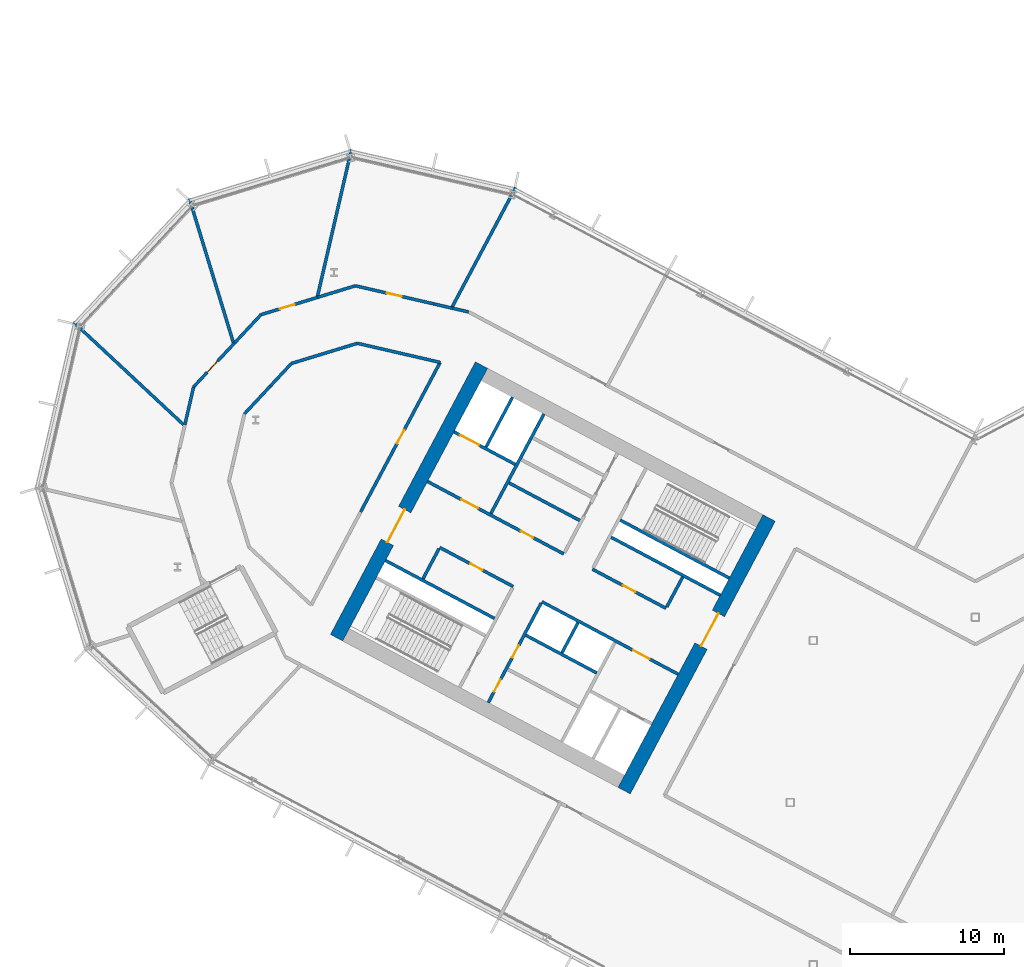
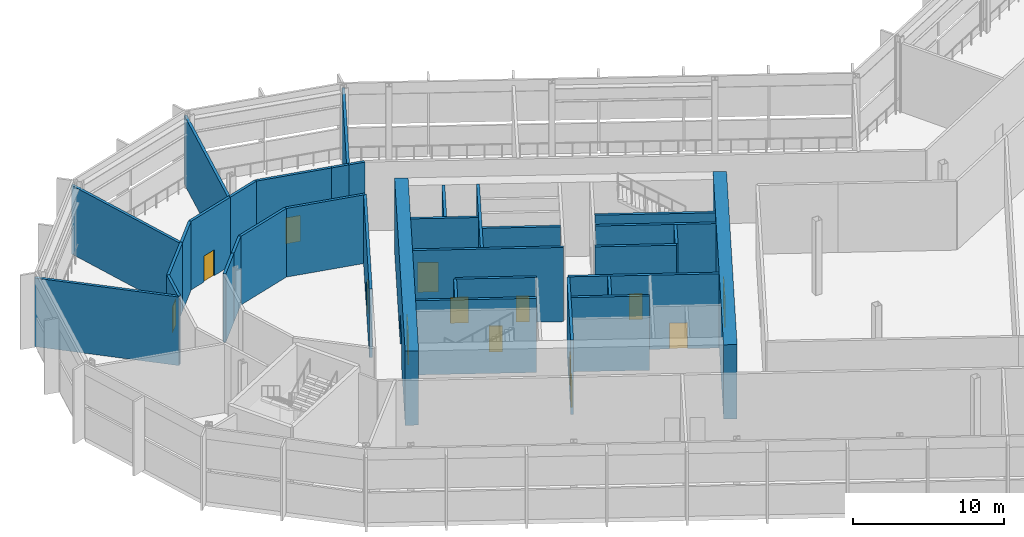
# One storey, part 13 of 33: 35 walls, 14 doors, 14 openings.
"""IFC4 building model written with IfcOpenShell, lengths in metres."""

from ifc_helpers import new_model, si_unit, direction, frame, frame_2d, origin, place, context, subcontext, project, spatial, rectangle, extrude, material, layer, layer_set, type_object, element, fill, save


model = new_model("IFC4")

# Units and contexts
model_context = context("Model", 3, precision=1e-05, world=origin(), true_north=direction((0.0, 1.0)))
body_context = subcontext(model_context, "Body", "Model", "MODEL_VIEW")
ifc_project = project(units=[si_unit("LENGTHUNIT", "METRE"), si_unit("AREAUNIT", "SQUARE_METRE"), si_unit("VOLUMEUNIT", "CUBIC_METRE"), si_unit("PLANEANGLEUNIT", "RADIAN"), si_unit("MASSUNIT", "GRAM", prefix="KILO")], contexts=[model_context])

# Site, building, storey
site_placement = place(None, origin())
site = spatial("IfcSite", under=ifc_project, at=site_placement, CompositionType="ELEMENT")
building_placement = place(site_placement, origin())
building = spatial("IfcBuilding", under=site, at=building_placement, Name="Cormorant Relay Tower", CompositionType="ELEMENT")
storey_placement = place(building_placement, frame((0.0, 0.0, 112.199951171875)))
storey = spatial("IfcBuildingStorey", under=building, at=storey_placement, Name="L22", CompositionType="ELEMENT", Elevation=112.199951171875)

# Walls
ifc_material_1 = material(Name="Concrete 40 MPa", Category="concrete")
ifc_layer_1 = layer(ifc_material_1, 0.199951171875)
ifc_layer_set_1 = layer_set([ifc_layer_1], Name="Core internal wall 200")
wall_type_1 = type_object("IfcWallType", Name="Core internal wall 200", PredefinedType="SOLIDWALL", material=ifc_layer_set_1)
wall_1_placement = place(storey_placement, frame((-25.744140625, 11.64990234375, 0.0), z_axis=(0.0, 0.0, 1.0), x_axis=(-0.469487830541, -0.882938942948, 0.0)))
element("IfcWall", 1, at=wall_1_placement, inside=storey, type_object=wall_type_1, Name="L22 core A shaft and room wall", PredefinedType="SOLIDWALL", context=body_context, shape_type="SweptSolid", body=[
    extrude(rectangle(XDim=2.2001953125, YDim=0.199951171875, at=frame_2d((1.10009765625, 0.0))), origin(), (0.0, 0.0, 1.0), 6.0),
])
ifc_material_2 = material(Name="Concrete 50 MPa", Category="concrete")
ifc_layer_2 = layer(ifc_material_2, 0.199951171875)
ifc_layer_set_2 = layer_set([ifc_layer_2], Name="Core shaft wall 200")
wall_type_2 = type_object("IfcWallType", Name="Core shaft wall 200", PredefinedType="SHEAR", material=ifc_layer_set_2)
wall_2_placement = place(storey_placement, frame((-18.959716796875, 14.611328125, 0.0), z_axis=(0.0, 0.0, 1.0), x_axis=(-0.4694473164, -0.882960484464, 0.0)))
element("IfcWall", 2, at=wall_2_placement, inside=storey, type_object=wall_type_2, Name="L22 core A shaft wall", PredefinedType="SHEAR", context=body_context, shape_type="SweptSolid", body=[
    extrude(rectangle(XDim=2.199951171875, YDim=0.199951171875, at=frame_2d((1.10009765625, 0.0))), origin(), (0.0, 0.0, 1.0), 6.0),
])

# Wall, openings, doors
wall_3_placement = place(storey_placement, frame((-28.128173828125, 12.91748046875, 0.0), z_axis=(0.0, 0.0, 1.0), x_axis=(-0.469454336211, -0.882956752176, 0.0)))
wall_3 = element("IfcWall", 3, at=wall_3_placement, inside=storey, type_object=wall_type_2, Name="L22 core A shaft wall", PredefinedType="SHEAR", context=body_context, shape_type="SweptSolid", body=[
    extrude(rectangle(XDim=7.300048828125, YDim=0.199951171875, at=frame_2d((3.64990234375, 0.0))), origin(), (0.0, 0.0, 1.0), 6.0),
])
opening_1_placement = place(wall_3_placement, frame((3.10009765625, 0.0, 0.0)))
opening_1 = element("IfcOpeningElement", 4, at=opening_1_placement, cuts=wall_3, Name="Opening CDD-155", PredefinedType="OPENING", context=body_context, shape_type="SweptSolid", body=[
    extrude(rectangle(XDim=0.89990234375, YDim=2.10009765625, at=frame_2d((0.449951171875, 1.050048828125))), frame((0.0, 0.10986328125, 0.0), z_axis=(0.0, -1.0, 0.0), x_axis=(1.0, 0.0, 0.0)), (0.0, 0.0, 1.0), 0.219970703125),
])
opening_2_placement = place(wall_3_placement, frame((5.60009765625, 0.0, 0.0)))
opening_2 = element("IfcOpeningElement", 5, at=opening_2_placement, cuts=wall_3, Name="Opening CDD-156", PredefinedType="OPENING", context=body_context, shape_type="SweptSolid", body=[
    extrude(rectangle(XDim=0.89990234375, YDim=2.10009765625, at=frame_2d((0.449951171875, 1.050048828125))), frame((0.0, 0.10986328125, 0.0), z_axis=(0.0, -1.0, 0.0), x_axis=(1.0, 0.0, 0.0)), (0.0, 0.0, 1.0), 0.219970703125),
])
ifc_material_3 = material(Name="Steel fire door", Category="steel")
door_type_1 = type_object("IfcDoorType", Name="Core room door 900x2100", OperationType="SINGLE_SWING_LEFT", PredefinedType="DOOR", material=ifc_material_3)
door_1_placement = place(opening_1_placement, origin())
door_1 = element("IfcDoor", 6, at=door_1_placement, inside=storey, type_object=door_type_1, Name="Core room door 900x2100", OperationType="SINGLE_SWING_LEFT", OverallHeight=2.10009765625, OverallWidth=0.89990234375, PredefinedType="DOOR", context=body_context, shape_type="SweptSolid", body=[
    extrude(rectangle(XDim=0.89990234375, YDim=2.10009765625, at=frame_2d((0.449951171875, 1.050048828125))), frame((0.0, 0.02490234375, 0.0), z_axis=(0.0, -1.0, 0.0), x_axis=(1.0, 0.0, 0.0)), (0.0, 0.0, 1.0), 0.050048828125),
])
fill(opening_1, door_1)
door_2_placement = place(opening_2_placement, origin())
door_2 = element("IfcDoor", 7, at=door_2_placement, inside=storey, type_object=door_type_1, Name="Core room door 900x2100", OperationType="SINGLE_SWING_LEFT", OverallHeight=2.10009765625, OverallWidth=0.89990234375, PredefinedType="DOOR", context=body_context, shape_type="SweptSolid", body=[
    extrude(rectangle(XDim=0.89990234375, YDim=2.10009765625, at=frame_2d((0.449951171875, 1.050048828125))), frame((0.0, 0.02490234375, 0.0), z_axis=(0.0, -1.0, 0.0), x_axis=(1.0, 0.0, 0.0)), (0.0, 0.0, 1.0), 0.050048828125),
])
fill(opening_2, door_2)

# Walls
wall_4_placement = place(storey_placement, frame((-27.955322265625, 25.170654296875, 0.0), z_axis=(0.0, 0.0, 1.0), x_axis=(-0.469480409012, -0.88294288918, 0.0)))
element("IfcWall", 8, at=wall_4_placement, inside=storey, type_object=wall_type_2, Name="L22 core A shaft wall", PredefinedType="SHEAR", context=body_context, shape_type="SweptSolid", body=[
    extrude(rectangle(XDim=7.300048828125, YDim=0.199951171875, at=frame_2d((3.64990234375, 0.0))), origin(), (0.0, 0.0, 1.0), 6.0),
])
wall_5_placement = place(storey_placement, frame((-34.750244140625, 16.4384765625, 0.0), z_axis=(0.0, 0.0, 1.0), x_axis=(-0.469401318492, -0.882984938828, 0.0)))
element("IfcWall", 9, at=wall_5_placement, inside=storey, type_object=wall_type_2, Name="L22 core A shaft wall", PredefinedType="SHEAR", context=body_context, shape_type="SweptSolid", body=[
    extrude(rectangle(XDim=2.199951171875, YDim=0.199951171875, at=frame_2d((1.10009765625, 0.0))), origin(), (0.0, 0.0, 1.0), 6.0),
])
wall_6_placement = place(storey_placement, frame((-29.986083984375, 26.250244140625, 0.0), z_axis=(0.0, 0.0, 1.0), x_axis=(-0.469494272526, -0.882935517501, 0.0)))
element("IfcWall", 10, at=wall_6_placement, inside=storey, type_object=wall_type_2, Name="L22 core A shaft wall", PredefinedType="SHEAR", context=body_context, shape_type="SweptSolid", body=[
    extrude(rectangle(XDim=3.64990234375, YDim=0.199951171875, at=frame_2d((1.824951171875, 0.0))), origin(), (0.0, 0.0, 1.0), 6.0),
])
wall_7_placement = place(storey_placement, frame((-15.94189453125, 14.53564453125, 0.0), z_axis=(0.0, 0.0, 1.0), x_axis=(-0.882946947542, 0.469472776449, 0.0)))
element("IfcWall", 11, at=wall_7_placement, inside=storey, type_object=wall_type_2, Name="L22 core A shaft wall", PredefinedType="SHEAR", context=body_context, shape_type="SweptSolid", body=[
    extrude(rectangle(XDim=8.000244140625, YDim=0.199951171875, at=frame_2d((4.0, 0.0))), origin(), (0.0, 0.0, 1.0), 6.0),
])

# Wall, opening, door
wall_8_placement = place(storey_placement, frame((-29.80419921875, 21.906494140625, 0.0), z_axis=(0.0, 0.0, 1.0), x_axis=(-0.882960433586, 0.469447412093, 0.0)))
wall_8 = element("IfcWall", 12, at=wall_8_placement, inside=storey, type_object=wall_type_2, Name="L22 core A shaft wall", PredefinedType="SHEAR", context=body_context, shape_type="SweptSolid", body=[
    extrude(rectangle(XDim=4.5, YDim=0.199951171875, at=frame_2d((2.25, 0.0))), origin(), (0.0, 0.0, 1.0), 6.0),
])
opening_3_placement = place(wall_8_placement, frame((2.64990234375, 0.0, 0.0)))
opening_3 = element("IfcOpeningElement", 13, at=opening_3_placement, cuts=wall_8, Name="Opening LD3-011", PredefinedType="OPENING", context=body_context, shape_type="SweptSolid", body=[
    extrude(rectangle(XDim=1.39990234375, YDim=2.39990234375, at=frame_2d((0.699951171875, 1.199951171875))), frame((0.0, 0.10986328125, 0.0), z_axis=(0.0, -1.0, 0.0), x_axis=(1.0, 0.0, 0.0)), (0.0, 0.0, 1.0), 0.219970703125),
])
ifc_material_4 = material(Name="Stainless steel 316", Category="steel")
door_type_2 = type_object("IfcDoorType", Name="Lift landing door 1400x2400", OperationType="DOUBLE_DOOR_SLIDING", PredefinedType="DOOR", material=ifc_material_4)
door_3_placement = place(opening_3_placement, origin())
door_3 = element("IfcDoor", 14, at=door_3_placement, inside=storey, type_object=door_type_2, Name="SV1 landing door", OperationType="DOUBLE_DOOR_SLIDING", OverallHeight=2.39990234375, OverallWidth=1.39990234375, PredefinedType="DOOR", context=body_context, shape_type="SweptSolid", body=[
    extrude(rectangle(XDim=1.39990234375, YDim=2.39990234375, at=frame_2d((0.699951171875, 1.199951171875))), frame((0.0, 0.02490234375, 0.0), z_axis=(0.0, -1.0, 0.0), x_axis=(1.0, 0.0, 0.0)), (0.0, 0.0, 1.0), 0.050048828125),
])
fill(opening_3, door_3)

# Walls
wall_9_placement = place(storey_placement, frame((-16.52880859375, 13.43212890625, 0.0), z_axis=(0.0, 0.0, 1.0), x_axis=(-0.88295287151, 0.469461634952, 0.0)))
element("IfcWall", 15, at=wall_9_placement, inside=storey, type_object=wall_type_2, Name="L22 core A shaft wall", PredefinedType="SHEAR", context=body_context, shape_type="SweptSolid", body=[
    extrude(rectangle(XDim=7.999755859375, YDim=0.199951171875, at=frame_2d((4.0, 0.0))), origin(), (0.0, 0.0, 1.0), 6.0),
])
wall_10_placement = place(storey_placement, frame((-25.623046875, 18.267578125, 0.0), z_axis=(0.0, 0.0, 1.0), x_axis=(-0.882953967957, 0.469459572775, 0.0)))
element("IfcWall", 16, at=wall_10_placement, inside=storey, type_object=wall_type_2, Name="L22 core A shaft wall", PredefinedType="SHEAR", context=body_context, shape_type="SweptSolid", body=[
    extrude(rectangle(XDim=5.199951171875, YDim=0.199951171875, at=frame_2d((2.60009765625, 0.0))), origin(), (0.0, 0.0, 1.0), 6.0),
])

# Wall, opening, door
wall_11_placement = place(storey_placement, frame((-20.03955078125, 12.58056640625, 0.0), z_axis=(0.0, 0.0, 1.0), x_axis=(-0.882942972946, 0.469480251476, 0.0)))
wall_11 = element("IfcWall", 17, at=wall_11_placement, inside=storey, type_object=wall_type_2, Name="L22 core A shaft wall", PredefinedType="SHEAR", context=body_context, shape_type="SweptSolid", body=[
    extrude(rectangle(XDim=5.39990234375, YDim=0.199951171875, at=frame_2d((2.699951171875, 0.0))), origin(), (0.0, 0.0, 1.0), 6.0),
])
opening_4_placement = place(wall_11_placement, frame((2.25, 0.0, 0.0)))
opening_4 = element("IfcOpeningElement", 18, at=opening_4_placement, cuts=wall_11, Name="Opening CDD-153", PredefinedType="OPENING", context=body_context, shape_type="SweptSolid", body=[
    extrude(rectangle(XDim=0.89990234375, YDim=2.10009765625, at=frame_2d((0.449951171875, 1.050048828125))), frame((0.0, 0.10986328125, 0.0), z_axis=(0.0, -1.0, 0.0), x_axis=(1.0, 0.0, 0.0)), (0.0, 0.0, 1.0), 0.219970703125),
])
door_4_placement = place(opening_4_placement, origin())
door_4 = element("IfcDoor", 19, at=door_4_placement, inside=storey, type_object=door_type_1, Name="Core room door 900x2100", OperationType="SINGLE_SWING_LEFT", OverallHeight=2.10009765625, OverallWidth=0.89990234375, PredefinedType="DOOR", context=body_context, shape_type="SweptSolid", body=[
    extrude(rectangle(XDim=0.89990234375, YDim=2.10009765625, at=frame_2d((0.449951171875, 1.050048828125))), frame((0.0, 0.02490234375, 0.0), z_axis=(0.0, -1.0, 0.0), x_axis=(1.0, 0.0, 0.0)), (0.0, 0.0, 1.0), 0.050048828125),
])
fill(opening_4, door_4)

# Wall, openings, doors
wall_12_placement = place(storey_placement, frame((-26.66162109375, 16.1015625, 0.0), z_axis=(0.0, 0.0, 1.0), x_axis=(-0.882940221191, 0.469485426614, 0.0)))
wall_12 = element("IfcWall", 20, at=wall_12_placement, inside=storey, type_object=wall_type_2, Name="L22 core A shaft wall", PredefinedType="SHEAR", context=body_context, shape_type="SweptSolid", body=[
    extrude(rectangle(XDim=10.0, YDim=0.199951171875, at=frame_2d((5.0, 0.0))), origin(), (0.0, 0.0, 1.0), 6.0),
])
opening_5_placement = place(wall_12_placement, frame((6.300048828125, 0.0, 0.0)))
opening_5 = element("IfcOpeningElement", 21, at=opening_5_placement, cuts=wall_12, Name="Opening CDC-022", PredefinedType="OPENING", context=body_context, shape_type="SweptSolid", body=[
    extrude(rectangle(XDim=1.199951171875, YDim=2.10009765625, at=frame_2d((0.60009765625, 1.050048828125))), frame((0.0, 0.10986328125, 0.0), z_axis=(0.0, -1.0, 0.0), x_axis=(1.0, 0.0, 0.0)), (0.0, 0.0, 1.0), 0.219970703125),
])
opening_6_placement = place(wall_12_placement, frame((2.25, 0.0, 0.0)))
opening_6 = element("IfcOpeningElement", 22, at=opening_6_placement, cuts=wall_12, Name="Opening CDD-154", PredefinedType="OPENING", context=body_context, shape_type="SweptSolid", body=[
    extrude(rectangle(XDim=0.89990234375, YDim=2.10009765625, at=frame_2d((0.449951171875, 1.050048828125))), frame((0.0, 0.10986328125, 0.0), z_axis=(0.0, -1.0, 0.0), x_axis=(1.0, 0.0, 0.0)), (0.0, 0.0, 1.0), 0.219970703125),
])
ifc_material_5 = material(Name="Steel fire door", Category="steel")
door_type_3 = type_object("IfcDoorType", Name="Core lobby door 1200x2100", OperationType="SINGLE_SWING_LEFT", PredefinedType="DOOR", material=ifc_material_5)
door_5_placement = place(opening_5_placement, origin())
door_5 = element("IfcDoor", 23, at=door_5_placement, inside=storey, type_object=door_type_3, Name="Core lobby door 1200x2100", OperationType="SINGLE_SWING_LEFT", OverallHeight=2.10009765625, OverallWidth=1.199951171875, PredefinedType="DOOR", context=body_context, shape_type="SweptSolid", body=[
    extrude(rectangle(XDim=1.199951171875, YDim=2.10009765625, at=frame_2d((0.60009765625, 1.050048828125))), frame((0.0, 0.02490234375, 0.0), z_axis=(0.0, -1.0, 0.0), x_axis=(1.0, 0.0, 0.0)), (0.0, 0.0, 1.0), 0.050048828125),
])
fill(opening_5, door_5)
door_6_placement = place(opening_6_placement, origin())
door_6 = element("IfcDoor", 24, at=door_6_placement, inside=storey, type_object=door_type_1, Name="Core room door 900x2100", OperationType="SINGLE_SWING_LEFT", OverallHeight=2.10009765625, OverallWidth=0.89990234375, PredefinedType="DOOR", context=body_context, shape_type="SweptSolid", body=[
    extrude(rectangle(XDim=0.89990234375, YDim=2.10009765625, at=frame_2d((0.449951171875, 1.050048828125))), frame((0.0, 0.02490234375, 0.0), z_axis=(0.0, -1.0, 0.0), x_axis=(1.0, 0.0, 0.0)), (0.0, 0.0, 1.0), 0.050048828125),
])
fill(opening_6, door_6)

# Wall, opening, door
wall_13_placement = place(storey_placement, frame((-19.251708984375, 8.31103515625, 0.0), z_axis=(0.0, 0.0, 1.0), x_axis=(-0.882955722218, 0.469456273365, 0.0)))
wall_13 = element("IfcWall", 25, at=wall_13_placement, inside=storey, type_object=wall_type_2, Name="L22 core A shaft wall", PredefinedType="SHEAR", context=body_context, shape_type="SweptSolid", body=[
    extrude(rectangle(XDim=10.0, YDim=0.199951171875, at=frame_2d((5.0, 0.0))), origin(), (0.0, 0.0, 1.0), 6.0),
])
opening_7_placement = place(wall_13_placement, frame((2.10009765625, 0.0, 0.0)))
opening_7 = element("IfcOpeningElement", 26, at=opening_7_placement, cuts=wall_13, Name="Opening CDC-021", PredefinedType="OPENING", context=body_context, shape_type="SweptSolid", body=[
    extrude(rectangle(XDim=1.199951171875, YDim=2.10009765625, at=frame_2d((0.60009765625, 1.050048828125))), frame((0.0, 0.10986328125, 0.0), z_axis=(0.0, -1.0, 0.0), x_axis=(1.0, 0.0, 0.0)), (0.0, 0.0, 1.0), 0.219970703125),
])
door_7_placement = place(opening_7_placement, origin())
door_7 = element("IfcDoor", 27, at=door_7_placement, inside=storey, type_object=door_type_3, Name="Core lobby door 1200x2100", OperationType="SINGLE_SWING_RIGHT", OverallHeight=2.10009765625, OverallWidth=1.199951171875, PredefinedType="DOOR", context=body_context, shape_type="SweptSolid", body=[
    extrude(rectangle(XDim=1.199951171875, YDim=2.10009765625, at=frame_2d((0.60009765625, 1.050048828125))), frame((0.0, 0.02490234375, 0.0), z_axis=(0.0, -1.0, 0.0), x_axis=(1.0, 0.0, 0.0)), (0.0, 0.0, 1.0), 0.050048828125),
])
fill(opening_7, door_7)

wall_14_placement = place(storey_placement, frame((-29.935302734375, 13.991455078125, 0.0), z_axis=(0.0, 0.0, 1.0), x_axis=(-0.882952937579, 0.469461510692, 0.0)))
wall_14 = element("IfcWall", 28, at=wall_14_placement, inside=storey, type_object=wall_type_2, Name="L22 core A shaft wall", PredefinedType="SHEAR", context=body_context, shape_type="SweptSolid", body=[
    extrude(rectangle(XDim=5.400146484375, YDim=0.199951171875, at=frame_2d((2.7001953125, 0.0))), origin(), (0.0, 0.0, 1.0), 6.0),
])
opening_8_placement = place(wall_14_placement, frame((2.25, 0.0, 0.0)))
opening_8 = element("IfcOpeningElement", 29, at=opening_8_placement, cuts=wall_14, Name="Opening CDD-152", PredefinedType="OPENING", context=body_context, shape_type="SweptSolid", body=[
    extrude(rectangle(XDim=0.89990234375, YDim=2.10009765625, at=frame_2d((0.449951171875, 1.050048828125))), frame((0.0, 0.10986328125, 0.0), z_axis=(0.0, -1.0, 0.0), x_axis=(1.0, 0.0, 0.0)), (0.0, 0.0, 1.0), 0.219970703125),
])
door_8_placement = place(opening_8_placement, origin())
door_8 = element("IfcDoor", 30, at=door_8_placement, inside=storey, type_object=door_type_1, Name="Core room door 900x2100", OperationType="SINGLE_SWING_LEFT", OverallHeight=2.10009765625, OverallWidth=0.89990234375, PredefinedType="DOOR", context=body_context, shape_type="SweptSolid", body=[
    extrude(rectangle(XDim=0.89990234375, YDim=2.10009765625, at=frame_2d((0.449951171875, 1.050048828125))), frame((0.0, 0.02490234375, 0.0), z_axis=(0.0, -1.0, 0.0), x_axis=(1.0, 0.0, 0.0)), (0.0, 0.0, 1.0), 0.050048828125),
])
fill(opening_8, door_8)

# Walls
wall_15_placement = place(storey_placement, frame((-24.5283203125, 8.3984375, 0.0), z_axis=(0.0, 0.0, 1.0), x_axis=(-0.882953967957, 0.469459572775, 0.0)))
element("IfcWall", 31, at=wall_15_placement, inside=storey, type_object=wall_type_2, Name="L22 core A shaft wall", PredefinedType="SHEAR", context=body_context, shape_type="SweptSolid", body=[
    extrude(rectangle(XDim=5.199951171875, YDim=0.199951171875, at=frame_2d((2.60009765625, 0.0))), origin(), (0.0, 0.0, 1.0), 6.0),
])
wall_16_placement = place(storey_placement, frame((-31.150390625, 11.91943359375, 0.0), z_axis=(0.0, 0.0, 1.0), x_axis=(-0.882940221191, 0.469485426614, 0.0)))
element("IfcWall", 32, at=wall_16_placement, inside=storey, type_object=wall_type_2, Name="L22 core A shaft wall", PredefinedType="SHEAR", context=body_context, shape_type="SweptSolid", body=[
    extrude(rectangle(XDim=8.0, YDim=0.199951171875, at=frame_2d((4.0, 0.0))), origin(), (0.0, 0.0, 1.0), 6.0),
])

# Wall, opening, door
ifc_material_6 = material(Name="Concrete 70 MPa", Category="concrete")
ifc_layer_3 = layer(ifc_material_6, 0.89990234375)
ifc_layer_set_3 = layer_set([ifc_layer_3], Name="Core wall 900")
wall_type_3 = type_object("IfcWallType", Name="Core wall 900", PredefinedType="SHEAR", material=ifc_layer_set_3)
wall_17_placement = place(storey_placement, frame((-13.361572265625, 18.43017578125, 0.0), z_axis=(0.0, 0.0, 1.0), x_axis=(-0.46947084998, -0.882947971864, 0.0)))
wall_17 = element("IfcWall", 33, at=wall_17_placement, inside=storey, type_object=wall_type_3, Name="L22 core A wall", PredefinedType="SHEAR", context=body_context, shape_type="SweptSolid", body=[
    extrude(rectangle(XDim=20.0, YDim=0.89990234375, at=frame_2d((10.0, 0.0))), origin(), (0.0, 0.0, 1.0), 6.0),
])
opening_9_placement = place(wall_17_placement, frame((7.0, 0.0, 0.0)))
opening_9 = element("IfcOpeningElement", 34, at=opening_9_placement, cuts=wall_17, Name="Opening CDA-022", PredefinedType="OPENING", context=body_context, shape_type="SweptSolid", body=[
    extrude(rectangle(XDim=2.39990234375, YDim=2.39990234375, at=frame_2d((1.199951171875, 1.199951171875))), frame((0.0, 0.4599609375, 0.0), z_axis=(0.0, -1.0, 0.0), x_axis=(1.0, 0.0, 0.0)), (0.0, 0.0, 1.0), 0.919921875),
])
ifc_material_7 = material(Name="Steel fire door", Category="steel")
door_type_4 = type_object("IfcDoorType", Name="Core lobby door 2400x2400", OperationType="DOUBLE_DOOR_SINGLE_SWING", PredefinedType="DOOR", material=ifc_material_7)
door_9_placement = place(opening_9_placement, origin())
door_9 = element("IfcDoor", 35, at=door_9_placement, inside=storey, type_object=door_type_4, Name="Core lobby door 2400x2400", OperationType="DOUBLE_DOOR_SINGLE_SWING", OverallHeight=2.39990234375, OverallWidth=2.39990234375, PredefinedType="DOOR", context=body_context, shape_type="SweptSolid", body=[
    extrude(rectangle(XDim=2.39990234375, YDim=2.39990234375, at=frame_2d((1.199951171875, 1.199951171875))), frame((0.0, 0.02490234375, 0.0), z_axis=(0.0, -1.0, 0.0), x_axis=(1.0, 0.0, 0.0)), (0.0, 0.0, 1.0), 0.050048828125),
])
fill(opening_9, door_9)

wall_18_placement = place(storey_placement, frame((-31.99169921875, 28.3359375, 0.0), z_axis=(0.0, 0.0, 1.0), x_axis=(-0.46947084998, -0.882947971864, 0.0)))
wall_18 = element("IfcWall", 36, at=wall_18_placement, inside=storey, type_object=wall_type_3, Name="L22 core A wall", PredefinedType="SHEAR", context=body_context, shape_type="SweptSolid", body=[
    extrude(rectangle(XDim=20.0, YDim=0.89990234375, at=frame_2d((10.0, 0.0))), origin(), (0.0, 0.0, 1.0), 6.0),
])
opening_10_placement = place(wall_18_placement, frame((10.60009765625, 0.0, 0.0)))
opening_10 = element("IfcOpeningElement", 37, at=opening_10_placement, cuts=wall_18, Name="Opening CDA-023", PredefinedType="OPENING", context=body_context, shape_type="SweptSolid", body=[
    extrude(rectangle(XDim=2.39990234375, YDim=2.39990234375, at=frame_2d((1.199951171875, 1.199951171875))), frame((0.0, 0.4599609375, 0.0), z_axis=(0.0, -1.0, 0.0), x_axis=(1.0, 0.0, 0.0)), (0.0, 0.0, 1.0), 0.919921875),
])
door_10_placement = place(opening_10_placement, origin())
door_10 = element("IfcDoor", 38, at=door_10_placement, inside=storey, type_object=door_type_4, Name="Core lobby door 2400x2400", OperationType="DOUBLE_DOOR_SINGLE_SWING", OverallHeight=2.39990234375, OverallWidth=2.39990234375, PredefinedType="DOOR", context=body_context, shape_type="SweptSolid", body=[
    extrude(rectangle(XDim=2.39990234375, YDim=2.39990234375, at=frame_2d((1.199951171875, 1.199951171875))), frame((0.0, 0.02490234375, 0.0), z_axis=(0.0, -1.0, 0.0), x_axis=(1.0, 0.0, 0.0)), (0.0, 0.0, 1.0), 0.050048828125),
])
fill(opening_10, door_10)

# Wall
ifc_material_8 = material(Name="Fire-rated gypsum board partition")
ifc_layer_4 = layer(ifc_material_8, 0.199951171875)
ifc_layer_set_4 = layer_set([ifc_layer_4], Name="Fire-rated gypsum partition 200")
wall_type_4 = type_object("IfcWallType", Name="Fire-rated gypsum partition 200", PredefinedType="PARTITIONING", material=ifc_layer_set_4)
wall_19_placement = place(storey_placement, frame((-58.427001953125, 31.125, 0.0), z_axis=(0.0, 0.0, 1.0), x_axis=(0.731448342055, -0.6818968565, 0.0)))
element("IfcWall", 39, at=wall_19_placement, inside=storey, type_object=wall_type_4, Name="wall/L22/part/2", PredefinedType="PARTITIONING", context=body_context, shape_type="SweptSolid", body=[
    extrude(rectangle(XDim=9.84912109375, YDim=0.199951171875, at=frame_2d((4.924560546875, 0.0))), origin(), (0.0, 0.0, 1.0), 5.550048828125),
])

# Wall, opening, door
wall_20_placement = place(storey_placement, frame((-48.001953125, 29.758056640625, 0.0), z_axis=(0.0, 0.0, 1.0), x_axis=(-0.682017084098, -0.731336240725, 0.0)))
wall_20 = element("IfcWall", 40, at=wall_20_placement, inside=storey, type_object=wall_type_4, Name="wall/L22/part/7", PredefinedType="PARTITIONING", context=body_context, shape_type="SweptSolid", body=[
    extrude(rectangle(XDim=3.87109375, YDim=0.199951171875, at=frame_2d((1.935546875, 0.0))), origin(), (0.0, 0.0, 1.0), 5.550048828125),
])
opening_11_placement = place(wall_20_placement, frame((1.592041015625, 0.0, 0.0)))
opening_11 = element("IfcOpeningElement", 41, at=opening_11_placement, cuts=wall_20, Name="Opening FD1-136", PredefinedType="OPENING", context=body_context, shape_type="SweptSolid", body=[
    extrude(rectangle(XDim=1.0, YDim=2.10009765625, at=frame_2d((0.5, 1.050048828125))), frame((0.0, 0.10986328125, 0.0), z_axis=(0.0, -1.0, 0.0), x_axis=(1.0, 0.0, 0.0)), (0.0, 0.0, 1.0), 0.219970703125),
])
ifc_material_9 = material(Name="Fire-rated steel door", Category="steel")
door_type_5 = type_object("IfcDoorType", Name="Fire door 1000 x 2100", OperationType="SINGLE_SWING_LEFT", PredefinedType="DOOR", material=ifc_material_9)
door_11_placement = place(opening_11_placement, frame((1.0, 0.0, 0.0), z_axis=(0.0, 0.0, 1.0), x_axis=(-1.0, 0.0, 0.0)))
door_11 = element("IfcDoor", 42, at=door_11_placement, inside=storey, type_object=door_type_5, Name="door/L22/17", OperationType="SINGLE_SWING_RIGHT", OverallHeight=2.10009765625, OverallWidth=1.0, PredefinedType="DOOR", context=body_context, shape_type="SweptSolid", body=[
    extrude(rectangle(XDim=1.0, YDim=2.10009765625, at=frame_2d((0.5, 1.050048828125))), frame((0.0, 0.02490234375, 0.0), z_axis=(0.0, -1.0, 0.0), x_axis=(1.0, 0.0, 0.0)), (0.0, 0.0, 1.0), 0.050048828125),
])
fill(opening_11, door_11)

# Walls
wall_21_placement = place(storey_placement, frame((-50.64208984375, 26.927001953125, 0.0), z_axis=(0.0, 0.0, 1.0), x_axis=(-0.224930131566, -0.974374894952, 0.0)))
element("IfcWall", 43, at=wall_21_placement, inside=storey, type_object=wall_type_4, Name="wall/L22/part/8", PredefinedType="PARTITIONING", context=body_context, shape_type="SweptSolid", body=[
    extrude(rectangle(XDim=2.524658203125, YDim=0.199951171875, at=frame_2d((1.26220703125, 0.0))), origin(), (0.0, 0.0, 1.0), 5.550048828125),
])
wall_22_placement = place(storey_placement, frame((-50.922119140625, 39.133056640625, 0.0), z_axis=(0.0, 0.0, 1.0), x_axis=(0.292442735983, -0.956283036643, 0.0)))
element("IfcWall", 44, at=wall_22_placement, inside=storey, type_object=wall_type_4, Name="wall/L22/part/11", PredefinedType="PARTITIONING", context=body_context, shape_type="SweptSolid", body=[
    extrude(rectangle(XDim=9.8486328125, YDim=0.199951171875, at=frame_2d((4.92431640625, 0.0))), origin(), (0.0, 0.0, 1.0), 5.550048828125),
])
wall_23_placement = place(storey_placement, frame((-47.35107421875, 25.177001953125, 0.0), z_axis=(0.0, 0.0, 1.0), x_axis=(0.681950982626, 0.731397878925, 0.0)))
element("IfcWall", 45, at=wall_23_placement, inside=storey, type_object=wall_type_4, Name="wall/L22/part/15", PredefinedType="PARTITIONING", context=body_context, shape_type="SweptSolid", body=[
    extrude(rectangle(XDim=2.4638671875, YDim=0.199951171875, at=frame_2d((1.23193359375, 0.0))), origin(), (0.0, 0.0, 1.0), 5.550048828125),
])

# Wall, opening, door
wall_24_placement = place(storey_placement, frame((-42.60205078125, 32.72900390625, 0.0), z_axis=(0.0, 0.0, 1.0), x_axis=(-0.956266283447, -0.292497513052, 0.0)))
wall_24 = element("IfcWall", 46, at=wall_24_placement, inside=storey, type_object=wall_type_4, Name="wall/L22/part/19", PredefinedType="PARTITIONING", context=body_context, shape_type="SweptSolid", body=[
    extrude(rectangle(XDim=3.84619140625, YDim=0.199951171875, at=frame_2d((1.923095703125, 0.0))), origin(), (0.0, 0.0, 1.0), 5.550048828125),
])
opening_12_placement = place(wall_24_placement, frame((1.56689453125, 0.0, 0.0)))
opening_12 = element("IfcOpeningElement", 47, at=opening_12_placement, cuts=wall_24, Name="Opening FD1-135", PredefinedType="OPENING", context=body_context, shape_type="SweptSolid", body=[
    extrude(rectangle(XDim=1.0, YDim=2.10009765625, at=frame_2d((0.5, 1.050048828125))), frame((0.0, 0.10986328125, 0.0), z_axis=(0.0, -1.0, 0.0), x_axis=(1.0, 0.0, 0.0)), (0.0, 0.0, 1.0), 0.219970703125),
])
door_12_placement = place(opening_12_placement, frame((1.0, 0.0, 0.0), z_axis=(0.0, 0.0, 1.0), x_axis=(-1.0, 0.0, 0.0)))
door_12 = element("IfcDoor", 48, at=door_12_placement, inside=storey, type_object=door_type_5, Name="door/L22/16", OperationType="SINGLE_SWING_RIGHT", OverallHeight=2.10009765625, OverallWidth=1.0, PredefinedType="DOOR", context=body_context, shape_type="SweptSolid", body=[
    extrude(rectangle(XDim=1.0, YDim=2.10009765625, at=frame_2d((0.5, 1.050048828125))), frame((0.0, 0.02490234375, 0.0), z_axis=(0.0, -1.0, 0.0), x_axis=(1.0, 0.0, 0.0)), (0.0, 0.0, 1.0), 0.050048828125),
])
fill(opening_12, door_12)

# Walls
wall_25_placement = place(storey_placement, frame((-46.280029296875, 31.60400390625, 0.0), z_axis=(0.0, 0.0, 1.0), x_axis=(-0.682114920483, -0.731244989901, 0.0)))
element("IfcWall", 49, at=wall_25_placement, inside=storey, type_object=wall_type_4, Name="wall/L22/part/20", PredefinedType="PARTITIONING", context=body_context, shape_type="SweptSolid", body=[
    extrude(rectangle(XDim=2.5244140625, YDim=0.199951171875, at=frame_2d((1.26220703125, 0.0))), origin(), (0.0, 0.0, 1.0), 5.550048828125),
])
wall_26_placement = place(storey_placement, frame((-40.033935546875, 29.7490234375, 0.0), z_axis=(0.0, 0.0, 1.0), x_axis=(-0.956357512161, -0.29219909126, 0.0)))
element("IfcWall", 50, at=wall_26_placement, inside=storey, type_object=wall_type_4, Name="wall/L22/part/21", PredefinedType="PARTITIONING", context=body_context, shape_type="SweptSolid", body=[
    extrude(rectangle(XDim=4.4658203125, YDim=0.199951171875, at=frame_2d((2.23291015625, 0.0))), origin(), (0.0, 0.0, 1.0), 5.550048828125),
])
wall_27_placement = place(storey_placement, frame((-44.304931640625, 28.444091796875, 0.0), z_axis=(0.0, 0.0, 1.0), x_axis=(-0.681931663517, -0.731415891469, 0.0)))
element("IfcWall", 51, at=wall_27_placement, inside=storey, type_object=wall_type_4, Name="wall/L22/part/22", PredefinedType="PARTITIONING", context=body_context, shape_type="SweptSolid", body=[
    extrude(rectangle(XDim=2.003173828125, YDim=0.199951171875, at=frame_2d((1.00146484375, 0.0))), origin(), (0.0, 0.0, 1.0), 5.550048828125),
])
wall_28_placement = place(storey_placement, frame((-40.4189453125, 42.31494140625, 0.0), z_axis=(0.0, 0.0, 1.0), x_axis=(-0.224921063823, -0.974376988157, 0.0)))
element("IfcWall", 52, at=wall_28_placement, inside=storey, type_object=wall_type_4, Name="wall/L22/part/26", PredefinedType="PARTITIONING", context=body_context, shape_type="SweptSolid", body=[
    extrude(rectangle(XDim=9.848388671875, YDim=0.199951171875, at=frame_2d((4.92431640625, 0.0))), origin(), (0.0, 0.0, 1.0), 5.550048828125),
])

# Wall, opening, door
wall_29_placement = place(storey_placement, frame((-35.068115234375, 32.298095703125, 0.0), z_axis=(0.0, 0.0, 1.0), x_axis=(-0.974389622126, 0.224866325386, 0.0)))
wall_29 = element("IfcWall", 53, at=wall_29_placement, inside=storey, type_object=wall_type_4, Name="wall/L22/part/27", PredefinedType="PARTITIONING", context=body_context, shape_type="SweptSolid", body=[
    extrude(rectangle(XDim=5.22998046875, YDim=0.199951171875, at=frame_2d((2.614990234375, 0.0))), origin(), (0.0, 0.0, 1.0), 5.550048828125),
])
opening_13_placement = place(wall_29_placement, frame((2.14990234375, 0.0, 0.0)))
opening_13 = element("IfcOpeningElement", 54, at=opening_13_placement, cuts=wall_29, Name="Opening FD1-134", PredefinedType="OPENING", context=body_context, shape_type="SweptSolid", body=[
    extrude(rectangle(XDim=1.0, YDim=2.10009765625, at=frame_2d((0.5, 1.050048828125))), frame((0.0, 0.10986328125, 0.0), z_axis=(0.0, -1.0, 0.0), x_axis=(1.0, 0.0, 0.0)), (0.0, 0.0, 1.0), 0.219970703125),
])
door_13_placement = place(opening_13_placement, frame((1.0, 0.0, 0.0), z_axis=(0.0, 0.0, 1.0), x_axis=(-1.0, 0.0, 0.0)))
door_13 = element("IfcDoor", 55, at=door_13_placement, inside=storey, type_object=door_type_5, Name="door/L22/15", OperationType="SINGLE_SWING_RIGHT", OverallHeight=2.10009765625, OverallWidth=1.0, PredefinedType="DOOR", context=body_context, shape_type="SweptSolid", body=[
    extrude(rectangle(XDim=1.0, YDim=2.10009765625, at=frame_2d((0.5, 1.050048828125))), frame((0.0, 0.02490234375, 0.0), z_axis=(0.0, -1.0, 0.0), x_axis=(1.0, 0.0, 0.0)), (0.0, 0.0, 1.0), 0.050048828125),
])
fill(opening_13, door_13)

# Walls
wall_30_placement = place(storey_placement, frame((-40.1640625, 33.47412109375, 0.0), z_axis=(0.0, 0.0, 1.0), x_axis=(-0.95633223978, -0.292281794092, 0.0)))
element("IfcWall", 56, at=wall_30_placement, inside=storey, type_object=wall_type_4, Name="wall/L22/part/28", PredefinedType="PARTITIONING", context=body_context, shape_type="SweptSolid", body=[
    extrude(rectangle(XDim=2.54931640625, YDim=0.199951171875, at=frame_2d((1.274658203125, 0.0))), origin(), (0.0, 0.0, 1.0), 5.550048828125),
])
wall_31_placement = place(storey_placement, frame((-34.673095703125, 28.511962890625, 0.0), z_axis=(0.0, 0.0, 1.0), x_axis=(-0.974393439342, 0.224849784003, 0.0)))
element("IfcWall", 57, at=wall_31_placement, inside=storey, type_object=wall_type_4, Name="wall/L22/part/29", PredefinedType="PARTITIONING", context=body_context, shape_type="SweptSolid", body=[
    extrude(rectangle(XDim=5.501708984375, YDim=0.199951171875, at=frame_2d((2.7509765625, 0.0))), origin(), (0.0, 0.0, 1.0), 5.550048828125),
])

# Wall, opening, door
wall_32_placement = place(storey_placement, frame((-34.673095703125, 28.511962890625, 0.0), z_axis=(0.0, 0.0, 1.0), x_axis=(-0.469440333182, -0.882964197226, 0.0)))
wall_32 = element("IfcWall", 58, at=wall_32_placement, inside=storey, type_object=wall_type_4, Name="wall/L22/part/30", PredefinedType="PARTITIONING", context=body_context, shape_type="SweptSolid", body=[
    extrude(rectangle(XDim=10.9765625, YDim=0.199951171875, at=frame_2d((5.48828125, 0.0))), origin(), (0.0, 0.0, 1.0), 5.550048828125),
])
opening_14_placement = place(wall_32_placement, frame((4.949951171875, 0.0, 0.0)))
opening_14 = element("IfcOpeningElement", 59, at=opening_14_placement, cuts=wall_32, Name="Opening FD1-128", PredefinedType="OPENING", context=body_context, shape_type="SweptSolid", body=[
    extrude(rectangle(XDim=1.0, YDim=2.10009765625, at=frame_2d((0.5, 1.050048828125))), frame((0.0, 0.10986328125, 0.0), z_axis=(0.0, -1.0, 0.0), x_axis=(1.0, 0.0, 0.0)), (0.0, 0.0, 1.0), 0.219970703125),
])
door_14_placement = place(opening_14_placement, origin())
door_14 = element("IfcDoor", 60, at=door_14_placement, inside=storey, type_object=door_type_5, Name="door/L22/1", OperationType="SINGLE_SWING_LEFT", OverallHeight=2.10009765625, OverallWidth=1.0, PredefinedType="DOOR", context=body_context, shape_type="SweptSolid", body=[
    extrude(rectangle(XDim=1.0, YDim=2.10009765625, at=frame_2d((0.5, 1.050048828125))), frame((0.0, 0.02490234375, 0.0), z_axis=(0.0, -1.0, 0.0), x_axis=(1.0, 0.0, 0.0)), (0.0, 0.0, 1.0), 0.050048828125),
])
fill(opening_14, door_14)

# Walls
wall_33_placement = place(storey_placement, frame((-35.068115234375, 32.298095703125, 0.0), z_axis=(0.0, 0.0, 1.0), x_axis=(0.974257527465, -0.225437951946, 0.0)))
element("IfcWall", 61, at=wall_33_placement, inside=storey, type_object=wall_type_4, Name="wall/L22/part/31", PredefinedType="PARTITIONING", context=body_context, shape_type="SweptSolid", body=[
    extrude(rectangle(XDim=1.2021484375, YDim=0.199951171875, at=frame_2d((0.60107421875, 0.0))), origin(), (0.0, 0.0, 1.0), 5.550048828125),
])
wall_34_placement = place(storey_placement, frame((-29.779052734375, 39.845947265625, 0.0), z_axis=(0.0, 0.0, 1.0), x_axis=(-0.469439041073, -0.882964884192, 0.0)))
element("IfcWall", 62, at=wall_34_placement, inside=storey, type_object=wall_type_4, Name="wall/L22/part/32", PredefinedType="PARTITIONING", context=body_context, shape_type="SweptSolid", body=[
    extrude(rectangle(XDim=8.846435546875, YDim=0.199951171875, at=frame_2d((4.42333984375, 0.0))), origin(), (0.0, 0.0, 1.0), 5.550048828125),
])
wall_35_placement = place(storey_placement, frame((-32.822998046875, 31.779052734375, 0.0), z_axis=(0.0, 0.0, 1.0), x_axis=(-0.974350116036, 0.225037444395, 0.0)))
element("IfcWall", 63, at=wall_35_placement, inside=storey, type_object=wall_type_4, Name="wall/L22/part/33", PredefinedType="PARTITIONING", context=body_context, shape_type="SweptSolid", body=[
    extrude(rectangle(XDim=1.102294921875, YDim=0.199951171875, at=frame_2d((0.55126953125, 0.0))), origin(), (0.0, 0.0, 1.0), 5.550048828125),
])

save(model, "model.ifc")
